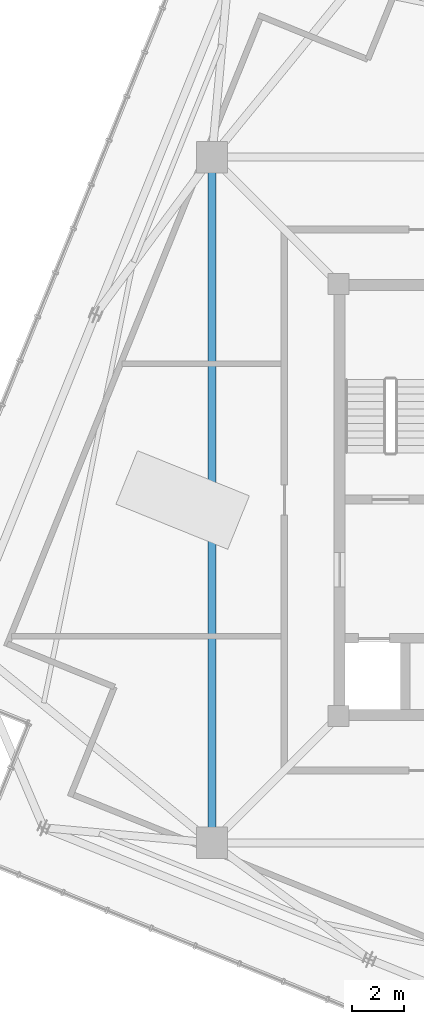
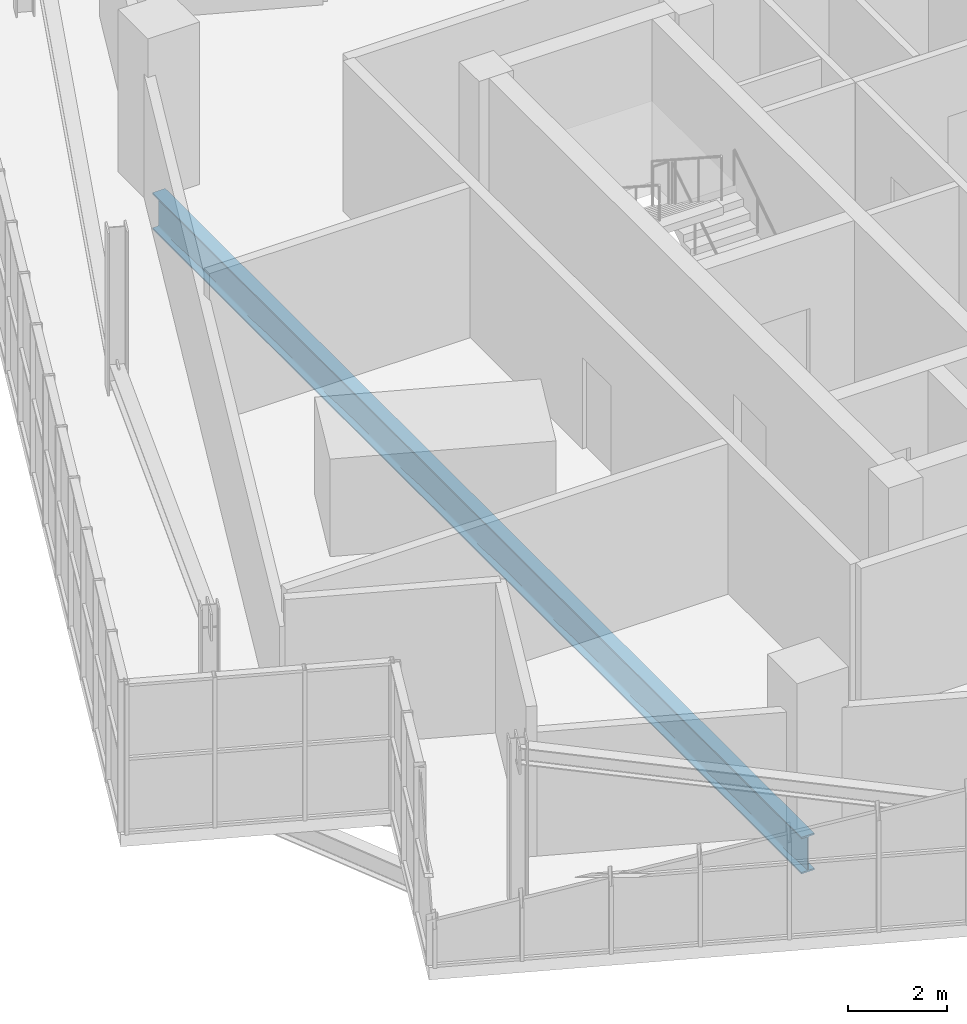
# One storey, part 7 of 26: 1 beam.
"""IFC4 building model written with IfcOpenShell, lengths in metres."""

from ifc_helpers import new_model, si_unit, direction, frame, origin, origin_2d, place, context, subcontext, project, spatial, i_section, extrude, source, transform, mapped, material, material_profile, profile_set, type_object, element, save


model = new_model("IFC4")

# Units and contexts
model_context = context("Model", 3, precision=1e-05, world=origin(), true_north=direction((0.0, 1.0)))
body_context = subcontext(model_context, "Body", "Model", "MODEL_VIEW")
ifc_project = project(units=[si_unit("LENGTHUNIT", "METRE"), si_unit("AREAUNIT", "SQUARE_METRE"), si_unit("VOLUMEUNIT", "CUBIC_METRE"), si_unit("PLANEANGLEUNIT", "RADIAN"), si_unit("MASSUNIT", "GRAM", prefix="KILO"), si_unit("THERMODYNAMICTEMPERATUREUNIT", "KELVIN")], contexts=[model_context])

# Site, building, storey
site_placement = place(None, origin())
site = spatial("IfcSite", under=ifc_project, at=site_placement, CompositionType="ELEMENT")
building_placement = place(site_placement, origin())
building = spatial("IfcBuilding", under=site, at=building_placement, Name="Kosmvard Interchange Tower", CompositionType="ELEMENT")
storey_placement = place(building_placement, frame((0.0, 0.0, 325.60009765625)))
storey = spatial("IfcBuildingStorey", under=building, at=storey_placement, Name="L80", CompositionType="ELEMENT", Elevation=325.60009765625)

# Beam
ifc_material = material(Name="Steel S355", Category="steel")
ifc_material_profile = material_profile(ifc_material, i_section(OverallWidth=0.300048828125, OverallDepth=0.89990234375, WebThickness=0.0185546875, FlangeThickness=0.034912109375, FilletRadius=0.030029296875, at=origin_2d()), Name="HEB 900")
ifc_profile_set = profile_set([ifc_material_profile], Name="Steel S355")
beam_type = type_object("IfcBeamType", Name="Mega-Column Ring Girder HEB 900 S355", PredefinedType="BEAM", material=ifc_profile_set)
shared_shape = source(origin(), body_context, "Body", "SweptSolid", [
    extrude(i_section(OverallWidth=0.300048828125, OverallDepth=0.89990234375, WebThickness=0.0185546875, FlangeThickness=0.034912109375, FilletRadius=0.030029296875, at=origin_2d()), origin(), (0.0, 0.0, 1.0), 26.162109375),
])
beam_placement = place(storey_placement, frame((-13.0810546875, 13.0810546875, -0.75), z_axis=(0.0, -1.0, 0.0), x_axis=(1.0, 0.0, 0.0)))
element("IfcBeam", 1, at=beam_placement, inside=storey, type_object=beam_type, Name="L80 Mega-Column Ring Girder 4", PredefinedType="BEAM", context=body_context, shape_type="MappedRepresentation", body=[
    mapped(shared_shape, transform((0.0, 0.0, 0.0), scale=1.0)),
])

save(model, "model.ifc")
